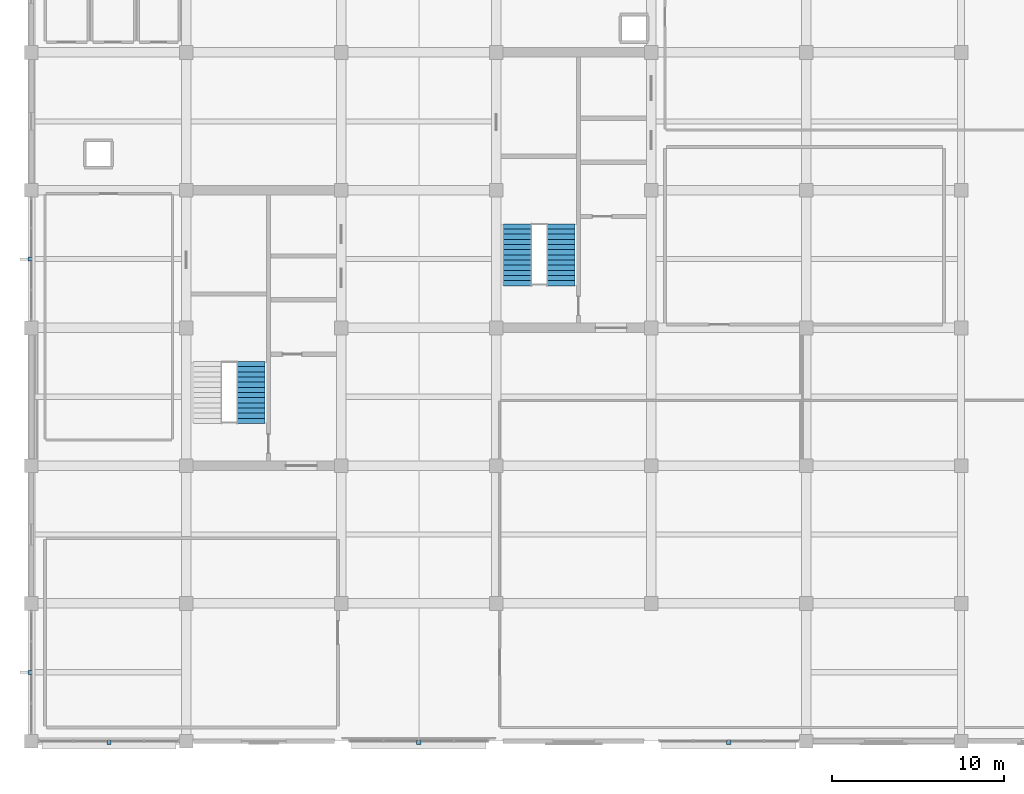
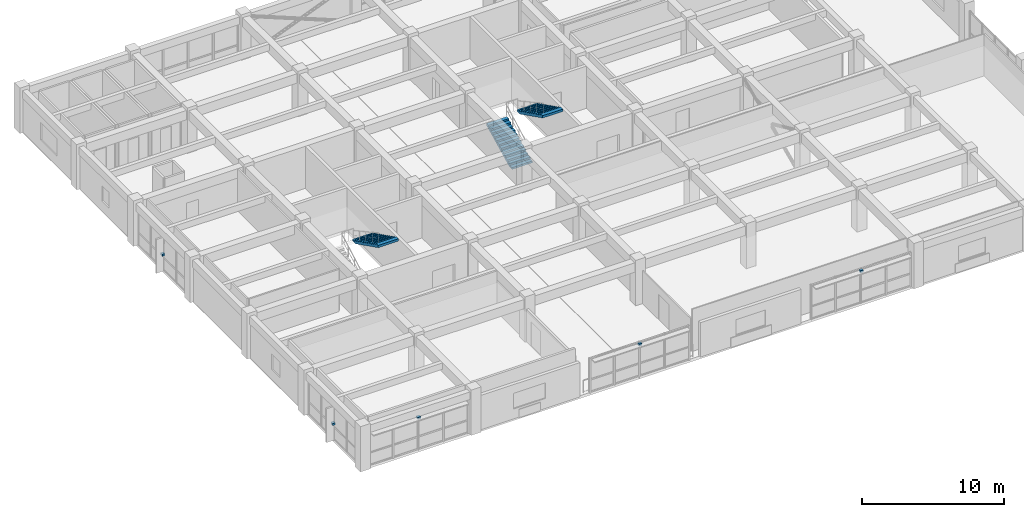
# One storey, part 15 of 16: 5 discrete accessories, 3 stair flights, 2 elements without a shape of their own.
"""IFC4 building model written with IfcOpenShell, lengths in metres."""

from ifc_helpers import new_model, si_unit, direction, frame, origin, origin_2d, place, context, subcontext, project, spatial, polyline, rectangle, outline, extrude, material, layer, layer_set, type_object, element, aggregate, save


model = new_model("IFC4")

# Units and contexts
model_context = context("Model", 3, precision=1e-05, world=origin(), true_north=direction((0.0, 1.0)))
body_context = subcontext(model_context, "Body", "Model", "MODEL_VIEW")
ifc_project = project(units=[si_unit("LENGTHUNIT", "METRE"), si_unit("AREAUNIT", "SQUARE_METRE"), si_unit("VOLUMEUNIT", "CUBIC_METRE"), si_unit("PLANEANGLEUNIT", "RADIAN"), si_unit("MASSUNIT", "GRAM", prefix="KILO")], contexts=[model_context])

# Site, building, storey
site_placement = place(None, origin())
site = spatial("IfcSite", under=ifc_project, at=site_placement, CompositionType="ELEMENT")
building_placement = place(site_placement, origin())
building = spatial("IfcBuilding", under=site, at=building_placement, Name="Zaverband Oceanarium and Marine Research Institute", CompositionType="ELEMENT")
storey_placement = place(building_placement, frame((0.0, 0.0, 41.39990234375)))
storey = spatial("IfcBuildingStorey", under=building, at=storey_placement, Name="L10", CompositionType="ELEMENT", Elevation=41.39990234375)

# Stair, stair flight
ifc_material_1 = material(Name="Concrete C40/50", Category="concrete")
stair_type = type_object("IfcStairType", Name="STR-TWR-1650-3900", PredefinedType="HALF_TURN_STAIR", material=ifc_material_1)
stair_1_placement = place(storey_placement, origin())
stair_1 = element("IfcStair", 1, at=stair_1_placement, inside=storey, type_object=stair_type, Name="Exit Stair ST-01 (L10)", PredefinedType="HALF_TURN_STAIR")
stair_flight_type = type_object("IfcStairFlightType", Name="STR-TWR-1650-3900-FL", PredefinedType="STRAIGHT", material=ifc_material_1)
stair_flight_1_placement = place(storey_placement, frame((21.7451171875, 86.050048828125, 1.9501953125), z_axis=(0.0, 0.0, 1.0), x_axis=(0.0, -1.0, 0.0)))
stair_flight_1 = element("IfcStairFlight", 2, at=stair_flight_1_placement, type_object=stair_flight_type, Name="Reinforced concrete stair flight ST-01-F2", NumberOfRisers=13, NumberOfTreads=12, PredefinedType="STRAIGHT", RiserHeight=0.15, TreadLength=0.3, context=body_context, shape_type="SweptSolid", body=[
    extrude(outline(polyline([(0.0, 0.0), (0.0, 0.14990234375), (0.300048828125, 0.14990234375), (0.300048828125, 0.300048828125), (0.60009765625, 0.300048828125), (0.60009765625, 0.449951171875), (0.89990234375, 0.449951171875), (0.89990234375, 0.60009765625), (1.199951171875, 0.60009765625), (1.199951171875, 0.75), (1.5, 0.75), (1.5, 0.89990234375), (1.800048828125, 0.89990234375), (1.800048828125, 1.050048828125), (2.10009765625, 1.050048828125), (2.10009765625, 1.199951171875), (2.39990234375, 1.199951171875), (2.39990234375, 1.35009765625), (2.699951171875, 1.35009765625), (2.699951171875, 1.5), (3.0, 1.5), (3.0, 1.64990234375), (3.300048828125, 1.64990234375), (3.300048828125, 1.800048828125), (3.60009765625, 1.800048828125), (3.60009765625, 1.949951171875), (3.60009765625, 1.598876953125), (0.40234375, 0.0), (0.0, 0.0)])), frame((0.0, 0.824951171875, 0.0), z_axis=(0.0, -1.0, 0.0), x_axis=(1.0, 0.0, 0.0)), (0.0, 0.0, 1.0), 1.64990234375),
])
aggregate(stair_1, [stair_flight_1])

# Stair, stair flights
stair_2_placement = place(storey_placement, origin())
stair_2 = element("IfcStair", 3, at=stair_2_placement, inside=storey, type_object=stair_type, Name="Exit Stair ST-02 (L10)", PredefinedType="HALF_TURN_STAIR")
stair_flight_2_placement = place(storey_placement, frame((37.2548828125, 90.449951171875, 0.0), z_axis=(0.0, 0.0, 1.0), x_axis=(0.0, 1.0, 0.0)))
stair_flight_2 = element("IfcStairFlight", 4, at=stair_flight_2_placement, type_object=stair_flight_type, Name="Reinforced concrete stair flight ST-02-F1", NumberOfRisers=13, NumberOfTreads=12, PredefinedType="STRAIGHT", RiserHeight=0.15, TreadLength=0.3, context=body_context, shape_type="SweptSolid", body=[
    extrude(outline(polyline([(0.0, 0.0), (0.0, 0.14990234375), (0.300048828125, 0.14990234375), (0.300048828125, 0.300048828125), (0.60009765625, 0.300048828125), (0.60009765625, 0.449951171875), (0.89990234375, 0.449951171875), (0.89990234375, 0.60009765625), (1.199951171875, 0.60009765625), (1.199951171875, 0.75), (1.5, 0.75), (1.5, 0.89990234375), (1.800048828125, 0.89990234375), (1.800048828125, 1.050048828125), (2.10009765625, 1.050048828125), (2.10009765625, 1.199951171875), (2.39990234375, 1.199951171875), (2.39990234375, 1.35009765625), (2.699951171875, 1.35009765625), (2.699951171875, 1.5), (3.0, 1.5), (3.0, 1.64990234375), (3.300048828125, 1.64990234375), (3.300048828125, 1.800048828125), (3.60009765625, 1.800048828125), (3.60009765625, 1.949951171875), (3.60009765625, 1.598876953125), (0.40234375, 0.0), (0.0, 0.0)])), frame((0.0, 0.824951171875, 0.0), z_axis=(0.0, -1.0, 0.0), x_axis=(1.0, 0.0, 0.0)), (0.0, 0.0, 1.0), 1.64990234375),
])
stair_flight_3_placement = place(storey_placement, frame((39.7451171875, 94.050048828125, 1.9501953125), z_axis=(0.0, 0.0, 1.0), x_axis=(0.0, -1.0, 0.0)))
stair_flight_3 = element("IfcStairFlight", 5, at=stair_flight_3_placement, type_object=stair_flight_type, Name="Reinforced concrete stair flight ST-02-F2", NumberOfRisers=13, NumberOfTreads=12, PredefinedType="STRAIGHT", RiserHeight=0.15, TreadLength=0.3, context=body_context, shape_type="SweptSolid", body=[
    extrude(outline(polyline([(0.0, 0.0), (0.0, 0.14990234375), (0.300048828125, 0.14990234375), (0.300048828125, 0.300048828125), (0.60009765625, 0.300048828125), (0.60009765625, 0.449951171875), (0.89990234375, 0.449951171875), (0.89990234375, 0.60009765625), (1.199951171875, 0.60009765625), (1.199951171875, 0.75), (1.5, 0.75), (1.5, 0.89990234375), (1.800048828125, 0.89990234375), (1.800048828125, 1.050048828125), (2.10009765625, 1.050048828125), (2.10009765625, 1.199951171875), (2.39990234375, 1.199951171875), (2.39990234375, 1.35009765625), (2.699951171875, 1.35009765625), (2.699951171875, 1.5), (3.0, 1.5), (3.0, 1.64990234375), (3.300048828125, 1.64990234375), (3.300048828125, 1.800048828125), (3.60009765625, 1.800048828125), (3.60009765625, 1.949951171875), (3.60009765625, 1.598876953125), (0.40234375, 0.0), (0.0, 0.0)])), frame((0.0, 0.824951171875, 0.0), z_axis=(0.0, -1.0, 0.0), x_axis=(1.0, 0.0, 0.0)), (0.0, 0.0, 1.0), 1.64990234375),
])
aggregate(stair_2, [stair_flight_2, stair_flight_3])

# Discrete accessories
ifc_material_2 = material(Name="Steel S355", Category="steel")
ifc_layer = layer(ifc_material_2, 0.179931640625, Name="Steel S355")
ifc_layer_set = layer_set([ifc_layer], Name="Steel S355")
discrete_accessory_type = type_object("IfcDiscreteAccessoryType", Name="BRK-STL-200", PredefinedType="BRACKET", material=ifc_layer_set)
for number, where, z_axis, x_axis, name in (
    (6, (13.5, 63.919921875, 2.72021484375), (0.0, 0.0, 1.0), (1.0, 0.0, 0.0), "Galvanized steel facade fin structural bracket BRK-STL-200"),
    (7, (31.5, 63.919921875, 2.72021484375), (0.0, 0.0, 1.0), (1.0, 0.0, 0.0), "Galvanized steel facade fin structural bracket BRK-STL-200"),
    (8, (49.5, 63.919921875, 2.72021484375), (0.0, 0.0, 1.0), (1.0, 0.0, 0.0), "Galvanized steel facade fin structural bracket BRK-STL-200"),
    (9, (8.919921875, 68.0, 1.3203125), (0.0, 0.0, 1.0), (1.0, 0.0, 0.0), "Galvanized steel facade fin structural bracket BRK-STL-200"),
    (10, (8.919921875, 92.0, 1.3203125), (0.0, 0.0, 1.0), (1.0, 0.0, 0.0), "Galvanized steel facade fin structural bracket BRK-STL-200"),
):
    element("IfcDiscreteAccessory", number, at=place(storey_placement, frame(where, z_axis=z_axis, x_axis=x_axis)), inside=storey, type_object=discrete_accessory_type, Name=name, PredefinedType="BRACKET", context=body_context, shape_type="SweptSolid", body=[
        extrude(rectangle(XDim=0.239990234375, YDim=0.239990234375, at=origin_2d()), origin(), (0.0, 0.0, 1.0), 0.179931640625),
    ])

save(model, "model.ifc")
